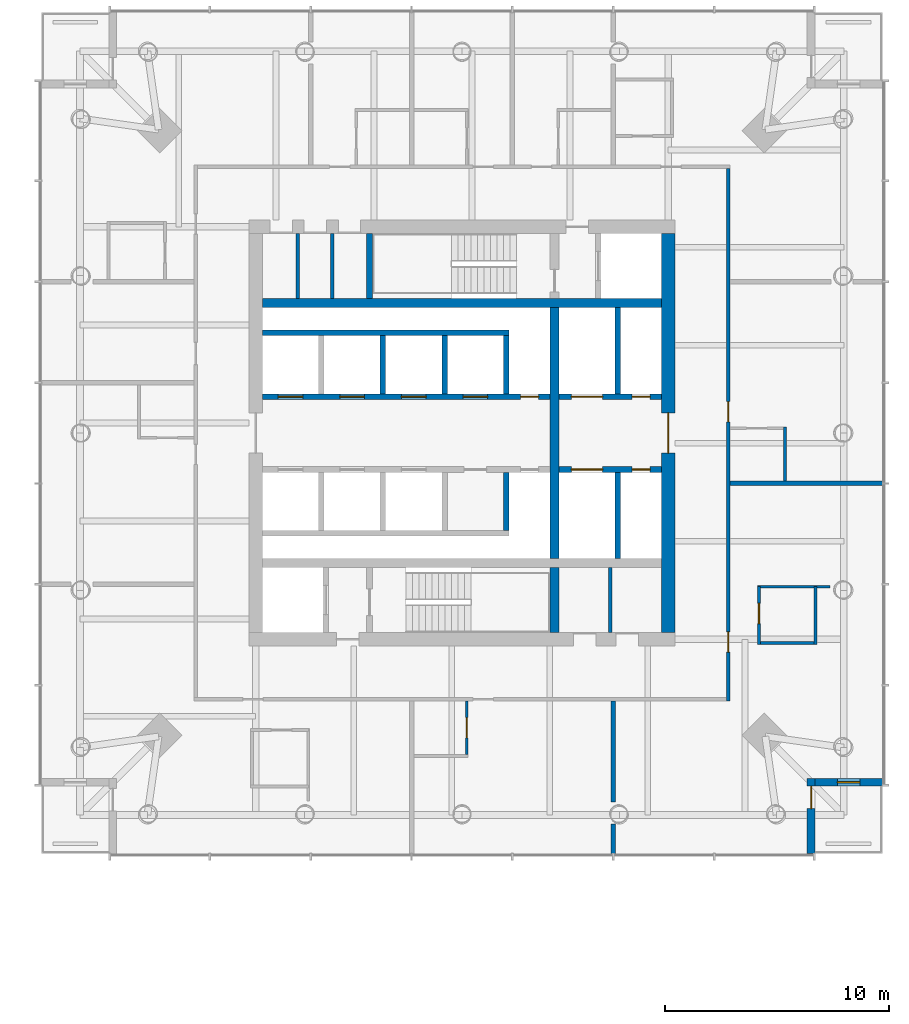
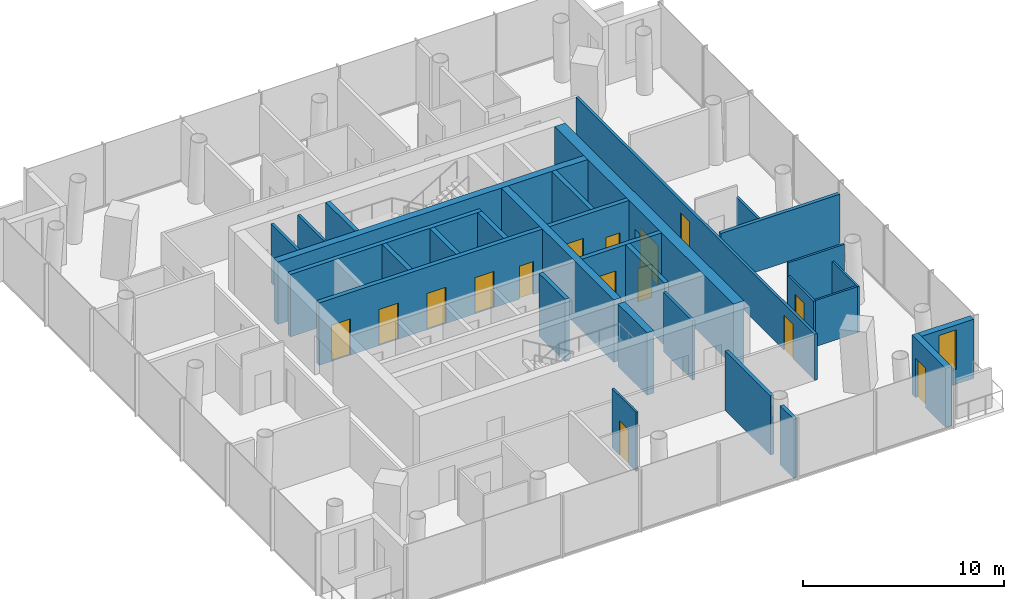
# One storey, part 14 of 26: 30 walls, 15 doors, 1 window, 16 openings.
"""IFC4 building model written with IfcOpenShell, lengths in metres."""

from ifc_helpers import new_model, si_unit, direction, frame, frame_2d, origin, place, context, subcontext, project, spatial, rectangle, extrude, material, layer, layer_set, type_object, element, fill, save


model = new_model("IFC4")

# Units and contexts
model_context = context("Model", 3, precision=1e-05, world=origin(), true_north=direction((0.0, 1.0)))
body_context = subcontext(model_context, "Body", "Model", "MODEL_VIEW")
ifc_project = project(units=[si_unit("LENGTHUNIT", "METRE"), si_unit("AREAUNIT", "SQUARE_METRE"), si_unit("VOLUMEUNIT", "CUBIC_METRE"), si_unit("PLANEANGLEUNIT", "RADIAN"), si_unit("MASSUNIT", "GRAM", prefix="KILO")], contexts=[model_context])

# Site, building, storey
site_placement = place(None, origin())
site = spatial("IfcSite", under=ifc_project, at=site_placement, CompositionType="ELEMENT")
building_placement = place(site_placement, origin())
building = spatial("IfcBuilding", under=site, at=building_placement, Name="Ostroluk Exchange", CompositionType="ELEMENT")
storey_placement = place(building_placement, frame((0.0, 0.0, 66.60009765625)))
storey = spatial("IfcBuildingStorey", under=building, at=storey_placement, Name="L16", CompositionType="ELEMENT", Elevation=66.60009765625)

# Walls
ifc_material_1 = material(Name="Concrete blockwork", Category="masonry")
ifc_layer_1 = layer(ifc_material_1, 0.14990234375)
ifc_layer_set_1 = layer_set([ifc_layer_1], Name="Blockwork plant room wall 150")
wall_type_1 = type_object("IfcWallType", Name="Blockwork plant room wall 150", PredefinedType="SOLIDWALL", material=ifc_layer_set_1)
for number, where, z_axis, x_axis, name in (
    (1, (123.614990234375, 37.10009765625, 0.0), (0.0, 0.0, 1.0), (0.0, 1.0, 0.0), "Core room wall"),
    (2, (109.680908203125, 52.0, 0.0), (0.0, 0.0, 1.0), (0.0, 1.0, 0.0), "Core room wall"),
    (3, (111.215576171875, 52.0, 0.0), (0.0, 0.0, 1.0), (0.0, 1.0, 0.0), "Core room wall"),
):
    element("IfcWall", number, at=place(storey_placement, frame(where, z_axis=z_axis, x_axis=x_axis)), inside=storey, type_object=wall_type_1, Name=name, PredefinedType="SOLIDWALL", context=body_context, shape_type="SweptSolid", body=[
        extrude(rectangle(XDim=2.89990234375, YDim=0.14990234375, at=frame_2d((1.449951171875, 0.0))), origin(), (0.0, 0.0, 1.0), 3.599853515625),
    ])
ifc_material_2 = material(Name="Concrete C50/60", Category="concrete")
ifc_layer_2 = layer(ifc_material_2, 0.39990234375)
ifc_layer_set_2 = layer_set([ifc_layer_2], Name="Core cross wall 400 C50/60")
wall_type_2 = type_object("IfcWallType", Name="Core cross wall 400 C50/60", PredefinedType="SHEAR", material=ifc_layer_set_2)
wall_1_placement = place(storey_placement, frame((108.10009765625, 51.800048828125, 0.0), z_axis=(0.0, 0.0, 1.0), x_axis=(1.0, 0.0, 0.0)))
element("IfcWall", 4, at=wall_1_placement, inside=storey, type_object=wall_type_2, Name="T2 core wall XN", PredefinedType="SHEAR", context=body_context, shape_type="SweptSolid", body=[
    extrude(rectangle(XDim=17.7998046875, YDim=0.39990234375, at=frame_2d((8.89990234375, 0.0))), origin(), (0.0, 0.0, 1.0), 3.7998046875),
])
wall_2_placement = place(storey_placement, frame((121.1298828125, 37.10009765625, 0.0), z_axis=(0.0, 0.0, 1.0), x_axis=(0.0, 1.0, 0.0)))
element("IfcWall", 5, at=wall_2_placement, inside=storey, type_object=wall_type_2, Name="T2 core wall YE1", PredefinedType="SHEAR", context=body_context, shape_type="SweptSolid", body=[
    extrude(rectangle(XDim=2.89990234375, YDim=0.39990234375, at=frame_2d((1.449951171875, 0.0))), origin(), (0.0, 0.0, 1.0), 3.7998046875),
])
wall_3_placement = place(storey_placement, frame((121.1298828125, 40.39990234375, 0.0), z_axis=(0.0, 0.0, 1.0), x_axis=(0.0, 1.0, 0.0)))
element("IfcWall", 6, at=wall_3_placement, inside=storey, type_object=wall_type_2, Name="T2 core wall YE2", PredefinedType="SHEAR", context=body_context, shape_type="SweptSolid", body=[
    extrude(rectangle(XDim=11.2001953125, YDim=0.39990234375, at=frame_2d((5.60009765625, 0.0))), origin(), (0.0, 0.0, 1.0), 3.7998046875),
])
ifc_material_3 = material(Name="Concrete C40/50", Category="concrete")
ifc_layer_3 = layer(ifc_material_3, 0.25)
ifc_layer_set_3 = layer_set([ifc_layer_3], Name="Core shaft wall 250")
wall_type_3 = type_object("IfcWallType", Name="Core shaft wall 250", PredefinedType="SHEAR", material=ifc_layer_set_3)
wall_4_placement = place(storey_placement, frame((112.875, 52.0, 0.0), z_axis=(0.0, 0.0, 1.0), x_axis=(0.0, 1.0, 0.0)))
element("IfcWall", 7, at=wall_4_placement, inside=storey, type_object=wall_type_3, Name="Stair shaft wall", PredefinedType="SHEAR", context=body_context, shape_type="SweptSolid", body=[
    extrude(rectangle(XDim=2.89990234375, YDim=0.25, at=frame_2d((1.449951171875, 0.0))), origin(), (0.0, 0.0, 1.0), 3.7998046875),
])
for number, where, z_axis, x_axis, name in (
    (8, (113.47509765625, 47.75, 0.0), (0.0, 0.0, 1.0), (0.0, 1.0, 0.0), "Lift shaft wall"),
    (9, (116.22509765625, 47.75, 0.0), (0.0, 0.0, 1.0), (0.0, 1.0, 0.0), "Lift shaft wall"),
    (10, (118.97509765625, 47.75, 0.0), (0.0, 0.0, 1.0), (0.0, 1.0, 0.0), "Lift shaft wall"),
):
    element("IfcWall", number, at=place(storey_placement, frame(where, z_axis=z_axis, x_axis=x_axis)), inside=storey, type_object=wall_type_3, Name=name, PredefinedType="SHEAR", context=body_context, shape_type="SweptSolid", body=[
        extrude(rectangle(XDim=2.60009765625, YDim=0.25, at=frame_2d((1.300048828125, 0.0))), origin(), (0.0, 0.0, 1.0), 3.7998046875),
    ])
wall_5_placement = place(storey_placement, frame((108.10009765625, 50.47509765625, 0.0), z_axis=(0.0, 0.0, 1.0), x_axis=(1.0, 0.0, 0.0)))
element("IfcWall", 11, at=wall_5_placement, inside=storey, type_object=wall_type_3, Name="Lift shaft wall", PredefinedType="SHEAR", context=body_context, shape_type="SweptSolid", body=[
    extrude(rectangle(XDim=11.0, YDim=0.25, at=frame_2d((5.5, 0.0))), origin(), (0.0, 0.0, 1.0), 3.7998046875),
])

# Wall, openings, doors
wall_6_placement = place(storey_placement, frame((108.10009765625, 47.625, 0.0), z_axis=(0.0, 0.0, 1.0), x_axis=(1.0, 0.0, 0.0)))
wall_6 = element("IfcWall", 12, at=wall_6_placement, inside=storey, type_object=wall_type_3, Name="Lift shaft front wall", PredefinedType="SHEAR", context=body_context, shape_type="SweptSolid", body=[
    extrude(rectangle(XDim=12.829833984375, YDim=0.25, at=frame_2d((6.4150390625, 0.0))), origin(), (0.0, 0.0, 1.0), 3.7998046875),
])
opening_1_placement = place(wall_6_placement, frame((0.699951171875, 0.0, 0.0)))
opening_1 = element("IfcOpeningElement", 13, at=opening_1_placement, cuts=wall_6, Name="Opening LD", PredefinedType="OPENING", context=body_context, shape_type="SweptSolid", body=[
    extrude(rectangle(XDim=1.10009765625, YDim=2.199951171875, at=frame_2d((0.550048828125, 1.10009765625))), frame((0.0, 0.135009765625, 0.0), z_axis=(0.0, -1.0, 0.0), x_axis=(1.0, 0.0, 0.0)), (0.0, 0.0, 1.0), 0.27001953125),
])
opening_2_placement = place(wall_6_placement, frame((3.449951171875, 0.0, 0.0)))
opening_2 = element("IfcOpeningElement", 14, at=opening_2_placement, cuts=wall_6, Name="Opening LD", PredefinedType="OPENING", context=body_context, shape_type="SweptSolid", body=[
    extrude(rectangle(XDim=1.10009765625, YDim=2.199951171875, at=frame_2d((0.550048828125, 1.10009765625))), frame((0.0, 0.135009765625, 0.0), z_axis=(0.0, -1.0, 0.0), x_axis=(1.0, 0.0, 0.0)), (0.0, 0.0, 1.0), 0.27001953125),
])
opening_3_placement = place(wall_6_placement, frame((6.199951171875, 0.0, 0.0)))
opening_3 = element("IfcOpeningElement", 15, at=opening_3_placement, cuts=wall_6, Name="Opening LD", PredefinedType="OPENING", context=body_context, shape_type="SweptSolid", body=[
    extrude(rectangle(XDim=1.10009765625, YDim=2.199951171875, at=frame_2d((0.550048828125, 1.10009765625))), frame((0.0, 0.135009765625, 0.0), z_axis=(0.0, -1.0, 0.0), x_axis=(1.0, 0.0, 0.0)), (0.0, 0.0, 1.0), 0.27001953125),
])
opening_4_placement = place(wall_6_placement, frame((8.949951171875, 0.0, 0.0)))
opening_4 = element("IfcOpeningElement", 16, at=opening_4_placement, cuts=wall_6, Name="Opening LD", PredefinedType="OPENING", context=body_context, shape_type="SweptSolid", body=[
    extrude(rectangle(XDim=1.10009765625, YDim=2.199951171875, at=frame_2d((0.550048828125, 1.10009765625))), frame((0.0, 0.135009765625, 0.0), z_axis=(0.0, -1.0, 0.0), x_axis=(1.0, 0.0, 0.0)), (0.0, 0.0, 1.0), 0.27001953125),
])
opening_5_placement = place(wall_6_placement, frame((11.514892578125, 0.0, 0.0)))
opening_5 = element("IfcOpeningElement", 17, at=opening_5_placement, cuts=wall_6, Name="Opening RD60", PredefinedType="OPENING", context=body_context, shape_type="SweptSolid", body=[
    extrude(rectangle(XDim=0.800048828125, YDim=2.0, at=frame_2d((0.39990234375, 1.0))), frame((0.0, 0.135009765625, 0.0), z_axis=(0.0, -1.0, 0.0), x_axis=(1.0, 0.0, 0.0)), (0.0, 0.0, 1.0), 0.27001953125),
])
ifc_material_4 = material(Name="Stainless steel", Category="steel")
door_type_1 = type_object("IfcDoorType", Name="Lift landing door E 60 1100 x 2200", OperationType="DOUBLE_DOOR_SLIDING", PredefinedType="DOOR", material=ifc_material_4)
door_1_placement = place(opening_1_placement, origin())
door_1 = element("IfcDoor", 18, at=door_1_placement, inside=storey, type_object=door_type_1, Name="Lift HL1 landing door", OperationType="DOUBLE_DOOR_SLIDING", OverallHeight=2.199951171875, OverallWidth=1.10009765625, PredefinedType="DOOR", context=body_context, shape_type="SweptSolid", body=[
    extrude(rectangle(XDim=1.10009765625, YDim=2.199951171875, at=frame_2d((0.550048828125, 1.10009765625))), frame((0.0, 0.02490234375, 0.0), z_axis=(0.0, -1.0, 0.0), x_axis=(1.0, 0.0, 0.0)), (0.0, 0.0, 1.0), 0.050048828125),
])
fill(opening_1, door_1)
door_2_placement = place(opening_2_placement, origin())
door_2 = element("IfcDoor", 19, at=door_2_placement, inside=storey, type_object=door_type_1, Name="Lift HL2 landing door", OperationType="DOUBLE_DOOR_SLIDING", OverallHeight=2.199951171875, OverallWidth=1.10009765625, PredefinedType="DOOR", context=body_context, shape_type="SweptSolid", body=[
    extrude(rectangle(XDim=1.10009765625, YDim=2.199951171875, at=frame_2d((0.550048828125, 1.10009765625))), frame((0.0, 0.02490234375, 0.0), z_axis=(0.0, -1.0, 0.0), x_axis=(1.0, 0.0, 0.0)), (0.0, 0.0, 1.0), 0.050048828125),
])
fill(opening_2, door_2)
door_3_placement = place(opening_3_placement, origin())
door_3 = element("IfcDoor", 20, at=door_3_placement, inside=storey, type_object=door_type_1, Name="Lift HL3 landing door", OperationType="DOUBLE_DOOR_SLIDING", OverallHeight=2.199951171875, OverallWidth=1.10009765625, PredefinedType="DOOR", context=body_context, shape_type="SweptSolid", body=[
    extrude(rectangle(XDim=1.10009765625, YDim=2.199951171875, at=frame_2d((0.550048828125, 1.10009765625))), frame((0.0, 0.02490234375, 0.0), z_axis=(0.0, -1.0, 0.0), x_axis=(1.0, 0.0, 0.0)), (0.0, 0.0, 1.0), 0.050048828125),
])
fill(opening_3, door_3)
door_4_placement = place(opening_4_placement, origin())
door_4 = element("IfcDoor", 21, at=door_4_placement, inside=storey, type_object=door_type_1, Name="Lift HL4 landing door", OperationType="DOUBLE_DOOR_SLIDING", OverallHeight=2.199951171875, OverallWidth=1.10009765625, PredefinedType="DOOR", context=body_context, shape_type="SweptSolid", body=[
    extrude(rectangle(XDim=1.10009765625, YDim=2.199951171875, at=frame_2d((0.550048828125, 1.10009765625))), frame((0.0, 0.02490234375, 0.0), z_axis=(0.0, -1.0, 0.0), x_axis=(1.0, 0.0, 0.0)), (0.0, 0.0, 1.0), 0.050048828125),
])
fill(opening_4, door_4)
ifc_material_5 = material(Name="Steel", Category="steel")
door_type_2 = type_object("IfcDoorType", Name="Riser access door EI 60 800 x 2000", OperationType="SINGLE_SWING_LEFT", PredefinedType="DOOR", material=ifc_material_5)
door_5_placement = place(opening_5_placement, origin())
door_5 = element("IfcDoor", 22, at=door_5_placement, inside=storey, type_object=door_type_2, Name="Riser access door", OperationType="SINGLE_SWING_RIGHT", OverallHeight=2.0, OverallWidth=0.800048828125, PredefinedType="DOOR", context=body_context, shape_type="SweptSolid", body=[
    extrude(rectangle(XDim=0.800048828125, YDim=2.0, at=frame_2d((0.39990234375, 1.0))), frame((0.0, 0.02490234375, 0.0), z_axis=(0.0, -1.0, 0.0), x_axis=(1.0, 0.0, 0.0)), (0.0, 0.0, 1.0), 0.050048828125),
])
fill(opening_5, door_5)

# Walls
wall_7_placement = place(storey_placement, frame((118.97509765625, 44.25, 0.0), z_axis=(0.0, 0.0, 1.0), x_axis=(0.0, -1.0, 0.0)))
element("IfcWall", 23, at=wall_7_placement, inside=storey, type_object=wall_type_3, Name="Lift shaft wall", PredefinedType="SHEAR", context=body_context, shape_type="SweptSolid", body=[
    extrude(rectangle(XDim=2.60009765625, YDim=0.25, at=frame_2d((1.300048828125, 0.0))), origin(), (0.0, 0.0, 1.0), 3.7998046875),
])
wall_8_placement = place(storey_placement, frame((123.955078125, 47.75, 0.0), z_axis=(0.0, 0.0, 1.0), x_axis=(0.0, 1.0, 0.0)))
element("IfcWall", 24, at=wall_8_placement, inside=storey, type_object=wall_type_3, Name="Lift shaft wall", PredefinedType="SHEAR", context=body_context, shape_type="SweptSolid", body=[
    extrude(rectangle(XDim=3.85009765625, YDim=0.25, at=frame_2d((1.925048828125, 0.0))), origin(), (0.0, 0.0, 1.0), 3.7998046875),
])

# Wall, openings, doors
wall_9_placement = place(storey_placement, frame((121.330078125, 47.625, 0.0), z_axis=(0.0, 0.0, 1.0), x_axis=(1.0, 0.0, 0.0)))
wall_9 = element("IfcWall", 25, at=wall_9_placement, inside=storey, type_object=wall_type_3, Name="Lift shaft front wall", PredefinedType="SHEAR", context=body_context, shape_type="SweptSolid", body=[
    extrude(rectangle(XDim=4.56982421875, YDim=0.25, at=frame_2d((2.284912109375, 0.0))), origin(), (0.0, 0.0, 1.0), 3.7998046875),
])
opening_6_placement = place(wall_9_placement, frame((0.550048828125, 0.0, 0.0)))
opening_6 = element("IfcOpeningElement", 26, at=opening_6_placement, cuts=wall_9, Name="Opening LD3", PredefinedType="OPENING", context=body_context, shape_type="SweptSolid", body=[
    extrude(rectangle(XDim=1.39990234375, YDim=2.39990234375, at=frame_2d((0.699951171875, 1.199951171875))), frame((0.0, 0.135009765625, 0.0), z_axis=(0.0, -1.0, 0.0), x_axis=(1.0, 0.0, 0.0)), (0.0, 0.0, 1.0), 0.27001953125),
])
opening_7_placement = place(wall_9_placement, frame((3.260009765625, 0.0, 0.0)))
opening_7 = element("IfcOpeningElement", 27, at=opening_7_placement, cuts=wall_9, Name="Opening RD60", PredefinedType="OPENING", context=body_context, shape_type="SweptSolid", body=[
    extrude(rectangle(XDim=0.800048828125, YDim=2.0, at=frame_2d((0.39990234375, 1.0))), frame((0.0, 0.135009765625, 0.0), z_axis=(0.0, -1.0, 0.0), x_axis=(1.0, 0.0, 0.0)), (0.0, 0.0, 1.0), 0.27001953125),
])
ifc_material_6 = material(Name="Stainless steel", Category="steel")
door_type_3 = type_object("IfcDoorType", Name="Goods lift landing door E 60 1400 x 2400", OperationType="DOUBLE_DOOR_SLIDING", PredefinedType="DOOR", material=ifc_material_6)
door_6_placement = place(opening_6_placement, origin())
door_6 = element("IfcDoor", 28, at=door_6_placement, inside=storey, type_object=door_type_3, Name="Lift HS1 landing door", OperationType="DOUBLE_DOOR_SLIDING", OverallHeight=2.39990234375, OverallWidth=1.39990234375, PredefinedType="DOOR", context=body_context, shape_type="SweptSolid", body=[
    extrude(rectangle(XDim=1.39990234375, YDim=2.39990234375, at=frame_2d((0.699951171875, 1.199951171875))), frame((0.0, 0.02490234375, 0.0), z_axis=(0.0, -1.0, 0.0), x_axis=(1.0, 0.0, 0.0)), (0.0, 0.0, 1.0), 0.050048828125),
])
fill(opening_6, door_6)
door_7_placement = place(opening_7_placement, origin())
door_7 = element("IfcDoor", 29, at=door_7_placement, inside=storey, type_object=door_type_2, Name="Riser access door", OperationType="SINGLE_SWING_RIGHT", OverallHeight=2.0, OverallWidth=0.800048828125, PredefinedType="DOOR", context=body_context, shape_type="SweptSolid", body=[
    extrude(rectangle(XDim=0.800048828125, YDim=2.0, at=frame_2d((0.39990234375, 1.0))), frame((0.0, 0.02490234375, 0.0), z_axis=(0.0, -1.0, 0.0), x_axis=(1.0, 0.0, 0.0)), (0.0, 0.0, 1.0), 0.050048828125),
])
fill(opening_7, door_7)

# Wall
wall_10_placement = place(storey_placement, frame((123.955078125, 44.25, 0.0), z_axis=(0.0, 0.0, 1.0), x_axis=(0.0, -1.0, 0.0)))
element("IfcWall", 30, at=wall_10_placement, inside=storey, type_object=wall_type_3, Name="Lift shaft wall", PredefinedType="SHEAR", context=body_context, shape_type="SweptSolid", body=[
    extrude(rectangle(XDim=3.85009765625, YDim=0.25, at=frame_2d((1.925048828125, 0.0))), origin(), (0.0, 0.0, 1.0), 3.7998046875),
])

# Wall, openings, doors
wall_11_placement = place(storey_placement, frame((121.330078125, 44.375, 0.0), z_axis=(0.0, 0.0, 1.0), x_axis=(1.0, 0.0, 0.0)))
wall_11 = element("IfcWall", 31, at=wall_11_placement, inside=storey, type_object=wall_type_3, Name="Lift shaft front wall", PredefinedType="SHEAR", context=body_context, shape_type="SweptSolid", body=[
    extrude(rectangle(XDim=4.56982421875, YDim=0.25, at=frame_2d((2.284912109375, 0.0))), origin(), (0.0, 0.0, 1.0), 3.7998046875),
])
opening_8_placement = place(wall_11_placement, frame((0.550048828125, 0.0, 0.0)))
opening_8 = element("IfcOpeningElement", 32, at=opening_8_placement, cuts=wall_11, Name="Opening LD3", PredefinedType="OPENING", context=body_context, shape_type="SweptSolid", body=[
    extrude(rectangle(XDim=1.39990234375, YDim=2.39990234375, at=frame_2d((0.699951171875, 1.199951171875))), frame((0.0, 0.135009765625, 0.0), z_axis=(0.0, -1.0, 0.0), x_axis=(1.0, 0.0, 0.0)), (0.0, 0.0, 1.0), 0.27001953125),
])
opening_9_placement = place(wall_11_placement, frame((3.260009765625, 0.0, 0.0)))
opening_9 = element("IfcOpeningElement", 33, at=opening_9_placement, cuts=wall_11, Name="Opening RD60", PredefinedType="OPENING", context=body_context, shape_type="SweptSolid", body=[
    extrude(rectangle(XDim=0.800048828125, YDim=2.0, at=frame_2d((0.39990234375, 1.0))), frame((0.0, 0.135009765625, 0.0), z_axis=(0.0, -1.0, 0.0), x_axis=(1.0, 0.0, 0.0)), (0.0, 0.0, 1.0), 0.27001953125),
])
door_8_placement = place(opening_8_placement, origin())
door_8 = element("IfcDoor", 34, at=door_8_placement, inside=storey, type_object=door_type_3, Name="Lift HS2 landing door", OperationType="DOUBLE_DOOR_SLIDING", OverallHeight=2.39990234375, OverallWidth=1.39990234375, PredefinedType="DOOR", context=body_context, shape_type="SweptSolid", body=[
    extrude(rectangle(XDim=1.39990234375, YDim=2.39990234375, at=frame_2d((0.699951171875, 1.199951171875))), frame((0.0, 0.02490234375, 0.0), z_axis=(0.0, -1.0, 0.0), x_axis=(1.0, 0.0, 0.0)), (0.0, 0.0, 1.0), 0.050048828125),
])
fill(opening_8, door_8)
door_9_placement = place(opening_9_placement, origin())
door_9 = element("IfcDoor", 35, at=door_9_placement, inside=storey, type_object=door_type_2, Name="Riser access door", OperationType="SINGLE_SWING_RIGHT", OverallHeight=2.0, OverallWidth=0.800048828125, PredefinedType="DOOR", context=body_context, shape_type="SweptSolid", body=[
    extrude(rectangle(XDim=0.800048828125, YDim=2.0, at=frame_2d((0.39990234375, 1.0))), frame((0.0, 0.02490234375, 0.0), z_axis=(0.0, -1.0, 0.0), x_axis=(1.0, 0.0, 0.0)), (0.0, 0.0, 1.0), 0.050048828125),
])
fill(opening_9, door_9)

# Wall, opening, door
ifc_material_7 = material(Name="Concrete C50/60", Category="concrete")
ifc_layer_4 = layer(ifc_material_7, 0.60009765625)
ifc_layer_set_4 = layer_set([ifc_layer_4], Name="Core wall 600 C50/60")
wall_type_4 = type_object("IfcWallType", Name="Core wall 600 C50/60", PredefinedType="SHEAR", material=ifc_layer_set_4)
wall_12_placement = place(storey_placement, frame((126.199951171875, 37.10009765625, 0.0), z_axis=(0.0, 0.0, 1.0), x_axis=(0.0, 1.0, 0.0)))
wall_12 = element("IfcWall", 36, at=wall_12_placement, inside=storey, type_object=wall_type_4, Name="T2 core wall E", PredefinedType="SHEAR", context=body_context, shape_type="SweptSolid", body=[
    extrude(rectangle(XDim=17.7998046875, YDim=0.60009765625, at=frame_2d((8.89990234375, 0.0))), origin(), (0.0, 0.0, 1.0), 3.7998046875),
])
opening_10_placement = place(wall_12_placement, frame((8.0, 0.0, 0.0)))
opening_10 = element("IfcOpeningElement", 37, at=opening_10_placement, cuts=wall_12, Name="Opening FD30D", PredefinedType="OPENING", context=body_context, shape_type="SweptSolid", body=[
    extrude(rectangle(XDim=1.800048828125, YDim=2.39990234375, at=frame_2d((0.89990234375, 1.199951171875))), frame((0.0, 0.31005859375, 0.0), z_axis=(0.0, -1.0, 0.0), x_axis=(1.0, 0.0, 0.0)), (0.0, 0.0, 1.0), 0.6201171875),
])
ifc_material_8 = material(Name="Timber", Category="wood")
door_type_4 = type_object("IfcDoorType", Name="Lobby double door EI 30 1800 x 2400", OperationType="DOUBLE_DOOR_SINGLE_SWING", PredefinedType="DOOR", material=ifc_material_8)
door_10_placement = place(opening_10_placement, origin())
door_10 = element("IfcDoor", 38, at=door_10_placement, inside=storey, type_object=door_type_4, Name="Lift lobby doors", OperationType="DOUBLE_DOOR_SINGLE_SWING", OverallHeight=2.39990234375, OverallWidth=1.800048828125, PredefinedType="DOOR", context=body_context, shape_type="SweptSolid", body=[
    extrude(rectangle(XDim=1.800048828125, YDim=2.39990234375, at=frame_2d((0.89990234375, 1.199951171875))), frame((0.0, 0.02490234375, 0.0), z_axis=(0.0, -1.0, 0.0), x_axis=(1.0, 0.0, 0.0)), (0.0, 0.0, 1.0), 0.050048828125),
])
fill(opening_10, door_10)

ifc_material_9 = material(Name="Limestone", Category="masonry")
ifc_layer_5 = layer(ifc_material_9, 0.35009765625)
ifc_layer_set_5 = layer_set([ifc_layer_5], Name="Limestone facade wall 350")
wall_type_5 = type_object("IfcWallType", Name="Limestone facade wall 350", PredefinedType="SOLIDWALL", material=ifc_layer_set_5)
wall_13_placement = place(storey_placement, frame((132.574951171875, 27.25, 0.0), z_axis=(0.0, 0.0, 1.0), x_axis=(0.0, 1.0, 0.0)))
wall_13 = element("IfcWall", 39, at=wall_13_placement, inside=storey, type_object=wall_type_5, Name="Hotel tower SE corner wall L16 a", PredefinedType="SOLIDWALL", context=body_context, shape_type="SweptSolid", body=[
    extrude(rectangle(XDim=3.35009765625, YDim=0.35009765625, at=frame_2d((1.675048828125, 0.0))), origin(), (0.0, 0.0, 1.0), 3.599853515625),
])
opening_11_placement = place(wall_13_placement, frame((2.0, 0.0, 0.0)))
opening_11 = element("IfcOpeningElement", 40, at=opening_11_placement, cuts=wall_13, Name="Opening D-B1", PredefinedType="OPENING", context=body_context, shape_type="SweptSolid", body=[
    extrude(rectangle(XDim=1.0, YDim=2.39990234375, at=frame_2d((0.5, 1.199951171875))), frame((0.0, 0.18505859375, 0.0), z_axis=(0.0, -1.0, 0.0), x_axis=(1.0, 0.0, 0.0)), (0.0, 0.0, 1.0), 0.3701171875),
])
ifc_material_10 = material(Name="Bronze framed glazed door", Category="aluminium")
door_type_5 = type_object("IfcDoorType", Name="Balcony door 1000 x 2400", OperationType="SINGLE_SWING_LEFT", PredefinedType="DOOR", material=ifc_material_10)
door_11_placement = place(opening_11_placement, origin())
door_11 = element("IfcDoor", 41, at=door_11_placement, inside=storey, type_object=door_type_5, Name="Hotel tower SE balcony door L16", OperationType="SINGLE_SWING_RIGHT", OverallHeight=2.39990234375, OverallWidth=1.0, PredefinedType="DOOR", context=body_context, shape_type="SweptSolid", body=[
    extrude(rectangle(XDim=1.0, YDim=2.39990234375, at=frame_2d((0.5, 1.199951171875))), frame((0.0, 0.02490234375, 0.0), z_axis=(0.0, -1.0, 0.0), x_axis=(1.0, 0.0, 0.0)), (0.0, 0.0, 1.0), 0.050048828125),
])
fill(opening_11, door_11)

# Wall, opening, window
wall_14_placement = place(storey_placement, frame((132.75, 30.425048828125, 0.0), z_axis=(0.0, 0.0, 1.0), x_axis=(1.0, 0.0, 0.0)))
wall_14 = element("IfcWall", 42, at=wall_14_placement, inside=storey, type_object=wall_type_5, Name="Hotel tower SE corner wall L16 b", PredefinedType="SOLIDWALL", context=body_context, shape_type="SweptSolid", body=[
    extrude(rectangle(XDim=3.0, YDim=0.35009765625, at=frame_2d((1.5, 0.0))), origin(), (0.0, 0.0, 1.0), 3.599853515625),
])
opening_12_placement = place(wall_14_placement, frame((1.0, 0.0, 0.89990234375)))
opening_12 = element("IfcOpeningElement", 43, at=opening_12_placement, cuts=wall_14, Name="Opening WN-L3", PredefinedType="OPENING", context=body_context, shape_type="SweptSolid", body=[
    extrude(rectangle(XDim=1.0, YDim=2.39990234375, at=frame_2d((0.5, 1.199951171875))), frame((0.0, 0.18505859375, 0.0), z_axis=(0.0, -1.0, 0.0), x_axis=(1.0, 0.0, 0.0)), (0.0, 0.0, 1.0), 0.3701171875),
])
ifc_material_11 = material(Name="Laminated clear glass", Category="glass")
window_type = type_object("IfcWindowType", Name="Hotel lancet window 1000 x 2400", PartitioningType="SINGLE_PANEL", PredefinedType="WINDOW", material=ifc_material_11)
window_placement = place(opening_12_placement, origin())
window = element("IfcWindow", 44, at=window_placement, inside=storey, type_object=window_type, Name="Hotel tower SE lancet window L16", OverallHeight=2.39990234375, OverallWidth=1.0, PartitioningType="SINGLE_PANEL", PredefinedType="WINDOW", context=body_context, shape_type="SweptSolid", body=[
    extrude(rectangle(XDim=1.0, YDim=2.39990234375, at=frame_2d((0.5, 1.199951171875))), frame((0.0, 0.030029296875, 0.0), z_axis=(0.0, -1.0, 0.0), x_axis=(1.0, 0.0, 0.0)), (0.0, 0.0, 1.0), 0.06005859375),
])
fill(opening_12, window)

# Wall, opening, door
ifc_material_12 = material(Name="Gypsum plasterboard partition, moisture resistant", Category="gypsum")
ifc_layer_6 = layer(ifc_material_12, 0.1201171875)
ifc_layer_set_6 = layer_set([ifc_layer_6], Name="Plasterboard en-suite wall 120")
wall_type_6 = type_object("IfcWallType", Name="Plasterboard en-suite wall 120", PredefinedType="PARTITIONING", material=ifc_layer_set_6)
wall_15_placement = place(storey_placement, frame((130.25, 39.14990234375, 0.0), z_axis=(0.0, 0.0, 1.0), x_axis=(0.0, -1.0, 0.0)))
wall_15 = element("IfcWall", 45, at=wall_15_placement, inside=storey, type_object=wall_type_6, Name="En-suite wall", PredefinedType="PARTITIONING", context=body_context, shape_type="SweptSolid", body=[
    extrude(rectangle(XDim=2.579833984375, YDim=0.1201171875, at=frame_2d((1.2900390625, 0.0))), origin(), (0.0, 0.0, 1.0), 2.7998046875),
])
opening_13_placement = place(wall_15_placement, frame((0.75, 0.0, 0.0)))
opening_13 = element("IfcOpeningElement", 46, at=opening_13_placement, cuts=wall_15, Name="Opening D-02", PredefinedType="OPENING", context=body_context, shape_type="SweptSolid", body=[
    extrude(rectangle(XDim=0.89990234375, YDim=2.10009765625, at=frame_2d((0.449951171875, 1.050048828125))), frame((0.0, 0.070068359375, 0.0), z_axis=(0.0, -1.0, 0.0), x_axis=(1.0, 0.0, 0.0)), (0.0, 0.0, 1.0), 0.14013671875),
])
ifc_material_13 = material(Name="Timber", Category="wood")
door_type_6 = type_object("IfcDoorType", Name="En-suite door 900 x 2100", OperationType="SINGLE_SWING_LEFT", PredefinedType="DOOR", material=ifc_material_13)
door_12_placement = place(opening_13_placement, origin())
door_12 = element("IfcDoor", 47, at=door_12_placement, inside=storey, type_object=door_type_6, Name="En-suite door 1601", OperationType="SINGLE_SWING_LEFT", OverallHeight=2.10009765625, OverallWidth=0.89990234375, PredefinedType="DOOR", context=body_context, shape_type="SweptSolid", body=[
    extrude(rectangle(XDim=0.89990234375, YDim=2.10009765625, at=frame_2d((0.449951171875, 1.050048828125))), frame((0.0, 0.02490234375, 0.0), z_axis=(0.0, -1.0, 0.0), x_axis=(1.0, 0.0, 0.0)), (0.0, 0.0, 1.0), 0.050048828125),
])
fill(opening_13, door_12)

# Walls
wall_16_placement = place(storey_placement, frame((132.77001953125, 39.14990234375, 0.0), z_axis=(0.0, 0.0, 1.0), x_axis=(0.0, -1.0, 0.0)))
element("IfcWall", 48, at=wall_16_placement, inside=storey, type_object=wall_type_6, Name="En-suite wall", PredefinedType="PARTITIONING", context=body_context, shape_type="SweptSolid", body=[
    extrude(rectangle(XDim=2.579833984375, YDim=0.1201171875, at=frame_2d((1.2900390625, 0.0))), origin(), (0.0, 0.0, 1.0), 2.7998046875),
])
wall_17_placement = place(storey_placement, frame((130.31005859375, 36.6298828125, 0.0), z_axis=(0.0, 0.0, 1.0), x_axis=(1.0, 0.0, 0.0)))
element("IfcWall", 49, at=wall_17_placement, inside=storey, type_object=wall_type_6, Name="En-suite wall", PredefinedType="PARTITIONING", context=body_context, shape_type="SweptSolid", body=[
    extrude(rectangle(XDim=2.39990234375, YDim=0.1201171875, at=frame_2d((1.199951171875, 0.0))), origin(), (0.0, 0.0, 1.0), 2.7998046875),
])
wall_18_placement = place(storey_placement, frame((130.18994140625, 39.14990234375, 0.0), z_axis=(0.0, 0.0, 1.0), x_axis=(1.0, 0.0, 0.0)))
element("IfcWall", 50, at=wall_18_placement, inside=storey, type_object=wall_type_6, Name="En-suite wall", PredefinedType="PARTITIONING", context=body_context, shape_type="SweptSolid", body=[
    extrude(rectangle(XDim=3.22998046875, YDim=0.1201171875, at=frame_2d((1.614990234375, 0.0))), origin(), (0.0, 0.0, 1.0), 3.599853515625),
])
wall_19_placement = place(storey_placement, frame((131.409912109375, 43.85009765625, 0.0), z_axis=(0.0, 0.0, 1.0), x_axis=(0.0, 1.0, 0.0)))
element("IfcWall", 51, at=wall_19_placement, inside=storey, type_object=wall_type_6, Name="En-suite wall", PredefinedType="PARTITIONING", context=body_context, shape_type="SweptSolid", body=[
    extrude(rectangle(XDim=2.419921875, YDim=0.1201171875, at=frame_2d((1.2099609375, 0.0))), origin(), (0.0, 0.0, 1.0), 2.846923828125),
])

# Wall, opening, door
wall_20_placement = place(storey_placement, frame((117.2099609375, 34.050048828125, 0.0), z_axis=(0.0, 0.0, 1.0), x_axis=(0.0, -1.0, 0.0)))
wall_20 = element("IfcWall", 52, at=wall_20_placement, inside=storey, type_object=wall_type_6, Name="En-suite wall", PredefinedType="PARTITIONING", context=body_context, shape_type="SweptSolid", body=[
    extrude(rectangle(XDim=2.400146484375, YDim=0.1201171875, at=frame_2d((1.2001953125, 0.0))), origin(), (0.0, 0.0, 1.0), 3.599853515625),
])
opening_14_placement = place(wall_20_placement, frame((0.75, 0.0, 0.0)))
opening_14 = element("IfcOpeningElement", 53, at=opening_14_placement, cuts=wall_20, Name="Opening D-02", PredefinedType="OPENING", context=body_context, shape_type="SweptSolid", body=[
    extrude(rectangle(XDim=0.89990234375, YDim=2.10009765625, at=frame_2d((0.449951171875, 1.050048828125))), frame((0.0, 0.070068359375, 0.0), z_axis=(0.0, -1.0, 0.0), x_axis=(1.0, 0.0, 0.0)), (0.0, 0.0, 1.0), 0.14013671875),
])
door_13_placement = place(opening_14_placement, origin())
door_13 = element("IfcDoor", 54, at=door_13_placement, inside=storey, type_object=door_type_6, Name="En-suite door 1610", OperationType="SINGLE_SWING_RIGHT", OverallHeight=2.10009765625, OverallWidth=0.89990234375, PredefinedType="DOOR", context=body_context, shape_type="SweptSolid", body=[
    extrude(rectangle(XDim=0.89990234375, YDim=2.10009765625, at=frame_2d((0.449951171875, 1.050048828125))), frame((0.0, 0.02490234375, 0.0), z_axis=(0.0, -1.0, 0.0), x_axis=(1.0, 0.0, 0.0)), (0.0, 0.0, 1.0), 0.050048828125),
])
fill(opening_14, door_13)

# Wall, openings, doors
ifc_material_14 = material(Name="Gypsum plasterboard partition", Category="gypsum")
ifc_layer_7 = layer(ifc_material_14, 0.14990234375)
ifc_layer_set_7 = layer_set([ifc_layer_7], Name="Plasterboard partition 150")
wall_type_7 = type_object("IfcWallType", Name="Plasterboard partition 150", PredefinedType="PARTITIONING", material=ifc_layer_set_7)
wall_21_placement = place(storey_placement, frame((128.875, 34.050048828125, 0.0), z_axis=(0.0, 0.0, 1.0), x_axis=(0.0, 1.0, 0.0)))
wall_21 = element("IfcWall", 55, at=wall_21_placement, inside=storey, type_object=wall_type_7, Name="Corridor wall", PredefinedType="PARTITIONING", context=body_context, shape_type="SweptSolid", body=[
    extrude(rectangle(XDim=23.75, YDim=0.14990234375, at=frame_2d((11.875, 0.0))), origin(), (0.0, 0.0, 1.0), 2.7998046875),
])
opening_15_placement = place(wall_21_placement, frame((2.175048828125, 0.0, 0.0)))
opening_15 = element("IfcOpeningElement", 56, at=opening_15_placement, cuts=wall_21, Name="Opening D-01", PredefinedType="OPENING", context=body_context, shape_type="SweptSolid", body=[
    extrude(rectangle(XDim=0.89990234375, YDim=2.10009765625, at=frame_2d((0.449951171875, 1.050048828125))), frame((0.0, 0.0849609375, 0.0), z_axis=(0.0, -1.0, 0.0), x_axis=(1.0, 0.0, 0.0)), (0.0, 0.0, 1.0), 0.169921875),
])
opening_16_placement = place(wall_21_placement, frame((12.449951171875, 0.0, 0.0)))
opening_16 = element("IfcOpeningElement", 57, at=opening_16_placement, cuts=wall_21, Name="Opening D-01", PredefinedType="OPENING", context=body_context, shape_type="SweptSolid", body=[
    extrude(rectangle(XDim=0.89990234375, YDim=2.10009765625, at=frame_2d((0.449951171875, 1.050048828125))), frame((0.0, 0.0849609375, 0.0), z_axis=(0.0, -1.0, 0.0), x_axis=(1.0, 0.0, 0.0)), (0.0, 0.0, 1.0), 0.169921875),
])
ifc_material_15 = material(Name="Timber", Category="wood")
door_type_7 = type_object("IfcDoorType", Name="Hotel room door EI 30 Sa 900 x 2100", OperationType="SINGLE_SWING_LEFT", PredefinedType="DOOR", material=ifc_material_15)
door_14_placement = place(opening_15_placement, origin())
door_14 = element("IfcDoor", 58, at=door_14_placement, inside=storey, type_object=door_type_7, Name="Room door 1601", OperationType="SINGLE_SWING_LEFT", OverallHeight=2.10009765625, OverallWidth=0.89990234375, PredefinedType="DOOR", context=body_context, shape_type="SweptSolid", body=[
    extrude(rectangle(XDim=0.89990234375, YDim=2.10009765625, at=frame_2d((0.449951171875, 1.050048828125))), frame((0.0, 0.02490234375, 0.0), z_axis=(0.0, -1.0, 0.0), x_axis=(1.0, 0.0, 0.0)), (0.0, 0.0, 1.0), 0.050048828125),
])
fill(opening_15, door_14)
door_15_placement = place(opening_16_placement, origin())
door_15 = element("IfcDoor", 59, at=door_15_placement, inside=storey, type_object=door_type_7, Name="Room door 1602", OperationType="SINGLE_SWING_RIGHT", OverallHeight=2.10009765625, OverallWidth=0.89990234375, PredefinedType="DOOR", context=body_context, shape_type="SweptSolid", body=[
    extrude(rectangle(XDim=0.89990234375, YDim=2.10009765625, at=frame_2d((0.449951171875, 1.050048828125))), frame((0.0, 0.02490234375, 0.0), z_axis=(0.0, -1.0, 0.0), x_axis=(1.0, 0.0, 0.0)), (0.0, 0.0, 1.0), 0.050048828125),
])
fill(opening_16, door_15)

# Walls
ifc_material_16 = material(Name="Gypsum plasterboard partition", Category="gypsum")
ifc_layer_8 = layer(ifc_material_16, 0.199951171875)
ifc_layer_set_8 = layer_set([ifc_layer_8], Name="Plasterboard party wall 200")
wall_type_8 = type_object("IfcWallType", Name="Plasterboard party wall 200", PredefinedType="PARTITIONING", material=ifc_layer_set_8)
wall_22_placement = place(storey_placement, frame((128.949951171875, 43.75, 0.0), z_axis=(0.0, 0.0, 1.0), x_axis=(1.0, 0.0, 0.0)))
element("IfcWall", 60, at=wall_22_placement, inside=storey, type_object=wall_type_8, Name="Party wall", PredefinedType="PARTITIONING", context=body_context, shape_type="SweptSolid", body=[
    extrude(rectangle(XDim=6.840087890625, YDim=0.199951171875, at=frame_2d((3.419921875, 0.0))), origin(), (0.0, 0.0, 1.0), 3.0498046875),
])
wall_23_placement = place(storey_placement, frame((123.75, 34.050048828125, 0.0), z_axis=(0.0, 0.0, 1.0), x_axis=(0.0, -1.0, 0.0)))
element("IfcWall", 61, at=wall_23_placement, inside=storey, type_object=wall_type_8, Name="Party wall", PredefinedType="PARTITIONING", context=body_context, shape_type="SweptSolid", body=[
    extrude(rectangle(XDim=4.51416015625, YDim=0.199951171875, at=frame_2d((2.257080078125, 0.0))), origin(), (0.0, 0.0, 1.0), 3.599853515625),
])
wall_24_placement = place(storey_placement, frame((123.75, 28.55908203125, 0.0), z_axis=(0.0, 0.0, 1.0), x_axis=(0.0, -1.0, 0.0)))
element("IfcWall", 62, at=wall_24_placement, inside=storey, type_object=wall_type_8, Name="Party wall", PredefinedType="PARTITIONING", context=body_context, shape_type="SweptSolid", body=[
    extrude(rectangle(XDim=1.34912109375, YDim=0.199951171875, at=frame_2d((0.674560546875, 0.0))), origin(), (0.0, 0.0, 1.0), 3.599853515625),
])

save(model, "model.ifc")
